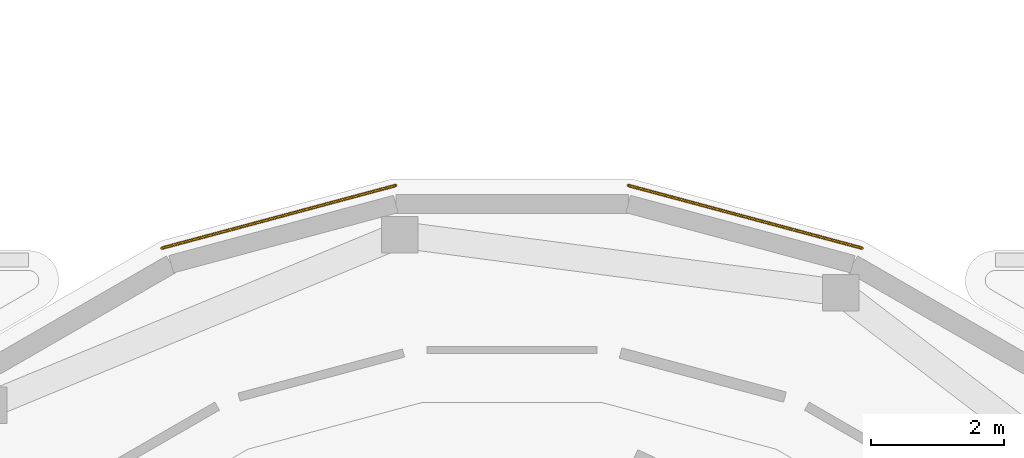
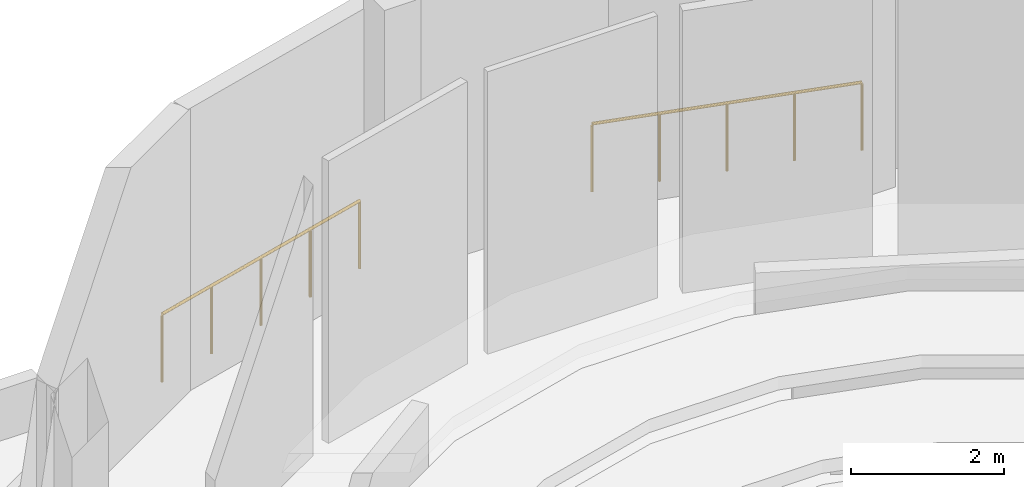
# One storey, part 58 of 63: 2 railings.
"""IFC4 building model written with IfcOpenShell, lengths in metres."""

from ifc_helpers import new_model, si_unit, derived_unit, direction, frame, origin, origin_2d, place, context, subcontext, project, spatial, circle, extrude, material, type_object, element, save


model = new_model("IFC4")

# Units and contexts
model_context = context("Model", 3, precision=1e-05, world=origin(), true_north=direction((0.0, 1.0)))
body_context = subcontext(model_context, "Body", "Model", "MODEL_VIEW")
ifc_project = project(units=[si_unit("LENGTHUNIT", "METRE"), si_unit("AREAUNIT", "SQUARE_METRE"), si_unit("VOLUMEUNIT", "CUBIC_METRE"), si_unit("PLANEANGLEUNIT", "RADIAN"), si_unit("MASSUNIT", "GRAM", prefix="KILO"), derived_unit("THERMALTRANSMITTANCEUNIT", [(si_unit("POWERUNIT", "WATT"), 1), (si_unit("LENGTHUNIT", "METRE"), -2), (si_unit("THERMODYNAMICTEMPERATUREUNIT", "KELVIN"), -1)])], contexts=[model_context])

# Site, building, storey
site_placement = place(None, origin())
site = spatial("IfcSite", under=ifc_project, at=site_placement, CompositionType="ELEMENT")
building_placement = place(site_placement, origin())
building = spatial("IfcBuilding", under=site, at=building_placement, Name="Elbkamm Science Centre", CompositionType="ELEMENT")
storey_placement = place(building_placement, frame((0.0, 0.0, 5.10009765625)))
storey = spatial("IfcBuildingStorey", under=building, at=storey_placement, Name="L01", CompositionType="ELEMENT", Elevation=5.10009765625)

# Railings
ifc_material = material(Name="Stainless steel EN 1.4401", Category="steel")
railing_type = type_object("IfcRailingType", Name="RAIL-EXT-GUARD-1100", PredefinedType="GUARDRAIL", material=ifc_material)
railing_1_placement = place(storey_placement, frame((11.525634765625, 100.837890625, 0.0)))
element("IfcRailing", 1, at=railing_1_placement, inside=storey, type_object=railing_type, Name="L01 Slab Edge Perimeter Guard 013", PredefinedType="GUARDRAIL", context=body_context, shape_type="SweptSolid", body=[
    extrude(circle(Radius=0.02392578125, at=origin_2d()), frame((0.0, 0.0, 1.078125), z_axis=(0.965917573106, 0.258849844435, 0.0), x_axis=(-0.258849844435, 0.965917573106, 0.0)), (0.0, 0.0, 1.0), 3.647216796875),
    extrude(circle(Radius=0.02001953125, at=origin_2d()), origin(), (0.0, 0.0, 1.0), 1.048095703125),
    extrude(circle(Radius=0.02001953125, at=origin_2d()), frame((0.880859375, 0.236083984375, 0.0)), (0.0, 0.0, 1.0), 1.048095703125),
    extrude(circle(Radius=0.02001953125, at=origin_2d()), frame((1.761474609375, 0.47216796875, 0.0)), (0.0, 0.0, 1.0), 1.048095703125),
    extrude(circle(Radius=0.02001953125, at=origin_2d()), frame((2.64208984375, 0.7080078125, 0.0)), (0.0, 0.0, 1.0), 1.048095703125),
    extrude(circle(Radius=0.02001953125, at=origin_2d()), frame((3.52294921875, 0.944091796875, 0.0)), (0.0, 0.0, 1.0), 1.048095703125),
])
railing_2_placement = place(storey_placement, frame((18.55126953125, 101.781982421875, 0.0)))
element("IfcRailing", 2, at=railing_2_placement, inside=storey, type_object=railing_type, Name="L01 Slab Edge Perimeter Guard 014", PredefinedType="GUARDRAIL", context=body_context, shape_type="SweptSolid", body=[
    extrude(circle(Radius=0.02392578125, at=origin_2d()), frame((0.0, 0.0, 1.078125), z_axis=(0.965917573106, -0.258849844435, 0.0), x_axis=(0.258849844435, 0.965917573106, 0.0)), (0.0, 0.0, 1.0), 3.647216796875),
    extrude(circle(Radius=0.02001953125, at=origin_2d()), origin(), (0.0, 0.0, 1.0), 1.048095703125),
    extrude(circle(Radius=0.02001953125, at=origin_2d()), frame((0.880859375, -0.236083984375, 0.0)), (0.0, 0.0, 1.0), 1.048095703125),
    extrude(circle(Radius=0.02001953125, at=origin_2d()), frame((1.761474609375, -0.47216796875, 0.0)), (0.0, 0.0, 1.0), 1.048095703125),
    extrude(circle(Radius=0.02001953125, at=origin_2d()), frame((2.64208984375, -0.7080078125, 0.0)), (0.0, 0.0, 1.0), 1.048095703125),
    extrude(circle(Radius=0.02001953125, at=origin_2d()), frame((3.52294921875, -0.944091796875, 0.0)), (0.0, 0.0, 1.0), 1.048095703125),
])

save(model, "model.ifc")
